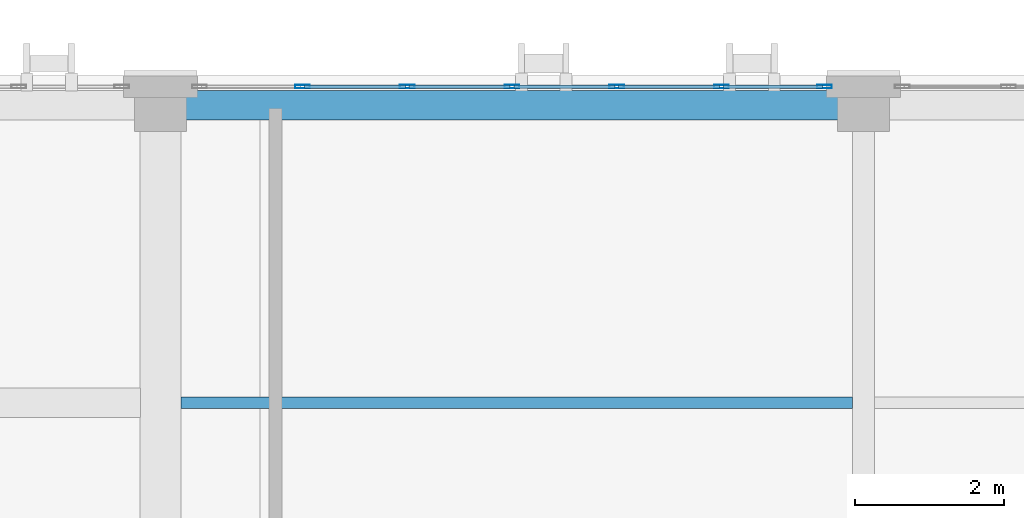
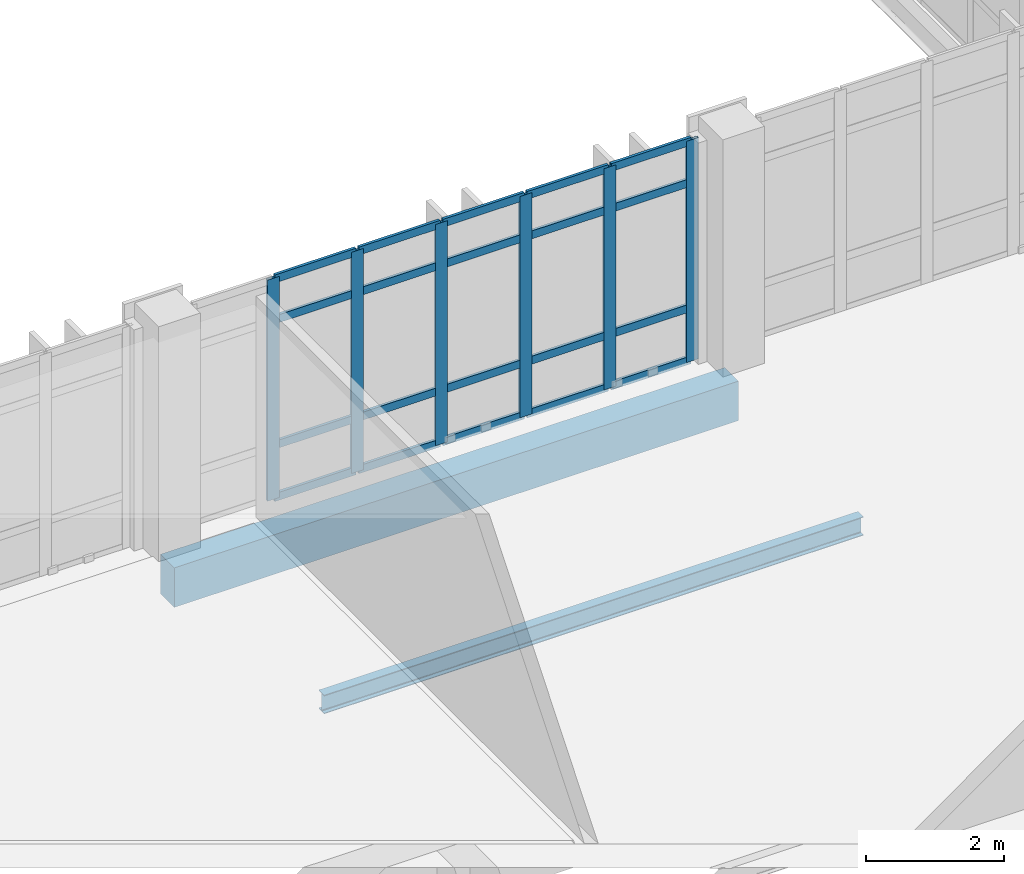
# One storey, part 42 of 165: 26 members, 2 beams, 1 element without a shape of its own.
"""IFC4 building model written with IfcOpenShell, lengths in metres."""

from ifc_helpers import new_model, si_unit, direction, frame, origin, origin_2d, place, context, subcontext, project, spatial, rectangle, hollow_rectangle, i_section, extrude, material, layer, layer_set, material_profile, profile_set, type_object, element, aggregate, save


model = new_model("IFC4")

# Units and contexts
model_context = context("Model", 3, precision=1e-05, world=origin(), true_north=direction((0.0, 1.0)))
body_context = subcontext(model_context, "Body", "Model", "MODEL_VIEW")
ifc_project = project(units=[si_unit("LENGTHUNIT", "METRE"), si_unit("AREAUNIT", "SQUARE_METRE"), si_unit("VOLUMEUNIT", "CUBIC_METRE"), si_unit("PLANEANGLEUNIT", "RADIAN"), si_unit("MASSUNIT", "GRAM", prefix="KILO")], contexts=[model_context])

# Site, building, storey
site_placement = place(None, origin())
site = spatial("IfcSite", under=ifc_project, at=site_placement, CompositionType="ELEMENT")
building_placement = place(site_placement, origin())
building = spatial("IfcBuilding", under=site, at=building_placement, Name="Qalavern Law Courts", CompositionType="ELEMENT")
storey_placement = place(building_placement, frame((0.0, 0.0, 14.39990234375)))
storey = spatial("IfcBuildingStorey", under=building, at=storey_placement, Name="L03", CompositionType="ELEMENT", Elevation=14.39990234375)

# Curtain wall, members
ifc_material_1 = material(Name="Anodised aluminium and insulated glazing", Category="aluminium")
ifc_layer = layer(ifc_material_1, 0.18505859375)
ifc_layer_set = layer_set([ifc_layer], Name="Anodised aluminium and insulated glazing")
curtain_wall_type = type_object("IfcCurtainWallType", Name="ENV-CW-HALL", PredefinedType="USERDEFINED", material=ifc_layer_set)
curtain_wall_placement = place(storey_placement, origin())
curtain_wall = element("IfcCurtainWall", 1, at=curtain_wall_placement, inside=storey, type_object=curtain_wall_type, Name="V2 unitised curtain wall L03 north 2", ObjectType="UNITISED CURTAIN WALL", PredefinedType="USERDEFINED")
ifc_material_2 = material(Name="Anodised aluminium", Category="aluminium")
ifc_material_profile_1 = material_profile(ifc_material_2, hollow_rectangle(XDim=0.048095703125, YDim=0.199951171875, WallThickness=0.00439453125, at=origin_2d()), Name="ALU MULLION 48x200")
ifc_profile_set_1 = profile_set([ifc_material_profile_1], Name="Anodised aluminium")
member_type_1 = type_object("IfcMemberType", Name="ENV-CWM-48x200", PredefinedType="MULLION", material=ifc_profile_set_1)
member_1_placement = place(storey_placement, frame((81.367431640625, 30.25244140625, 0.0), z_axis=(0.0, 0.0, 1.0), x_axis=(0.0, -1.0, 0.0)))
member_1 = element("IfcMember", 2, at=member_1_placement, type_object=member_type_1, Name="CW-02 mullion 1", PredefinedType="MULLION", context=body_context, shape_type="SweptSolid", body=[
    extrude(hollow_rectangle(XDim=0.048095703125, YDim=0.199951171875, WallThickness=0.00439453125, at=origin_2d()), origin(), (0.0, 0.0, 1.0), 3.920166015625),
])
member_2_placement = place(storey_placement, frame((79.982421875, 30.25244140625, 0.0), z_axis=(0.0, 0.0, 1.0), x_axis=(0.0, -1.0, 0.0)))
member_2 = element("IfcMember", 3, at=member_2_placement, type_object=member_type_1, Name="CW-02 mullion 2", PredefinedType="MULLION", context=body_context, shape_type="SweptSolid", body=[
    extrude(hollow_rectangle(XDim=0.048095703125, YDim=0.199951171875, WallThickness=0.00439453125, at=origin_2d()), origin(), (0.0, 0.0, 1.0), 3.920166015625),
])
member_3_placement = place(storey_placement, frame((78.5732421875, 30.25244140625, 0.0), z_axis=(0.0, 0.0, 1.0), x_axis=(0.0, -1.0, 0.0)))
member_3 = element("IfcMember", 4, at=member_3_placement, type_object=member_type_1, Name="CW-02 mullion 3", PredefinedType="MULLION", context=body_context, shape_type="SweptSolid", body=[
    extrude(hollow_rectangle(XDim=0.048095703125, YDim=0.199951171875, WallThickness=0.00439453125, at=origin_2d()), origin(), (0.0, 0.0, 1.0), 3.920166015625),
])
member_4_placement = place(storey_placement, frame((77.164306640625, 30.25244140625, 0.0), z_axis=(0.0, 0.0, 1.0), x_axis=(0.0, -1.0, 0.0)))
member_4 = element("IfcMember", 5, at=member_4_placement, type_object=member_type_1, Name="CW-02 mullion 4", PredefinedType="MULLION", context=body_context, shape_type="SweptSolid", body=[
    extrude(hollow_rectangle(XDim=0.048095703125, YDim=0.199951171875, WallThickness=0.00439453125, at=origin_2d()), origin(), (0.0, 0.0, 1.0), 3.920166015625),
])
member_5_placement = place(storey_placement, frame((75.755126953125, 30.25244140625, 0.0), z_axis=(0.0, 0.0, 1.0), x_axis=(0.0, -1.0, 0.0)))
member_5 = element("IfcMember", 6, at=member_5_placement, type_object=member_type_1, Name="CW-02 mullion 5", PredefinedType="MULLION", context=body_context, shape_type="SweptSolid", body=[
    extrude(hollow_rectangle(XDim=0.048095703125, YDim=0.199951171875, WallThickness=0.00439453125, at=origin_2d()), origin(), (0.0, 0.0, 1.0), 3.920166015625),
])
member_6_placement = place(storey_placement, frame((74.34619140625, 30.25244140625, 0.0), z_axis=(0.0, 0.0, 1.0), x_axis=(0.0, -1.0, 0.0)))
member_6 = element("IfcMember", 7, at=member_6_placement, type_object=member_type_1, Name="CW-02 mullion 6", PredefinedType="MULLION", context=body_context, shape_type="SweptSolid", body=[
    extrude(hollow_rectangle(XDim=0.048095703125, YDim=0.199951171875, WallThickness=0.00439453125, at=origin_2d()), origin(), (0.0, 0.0, 1.0), 3.920166015625),
])
ifc_material_profile_2 = material_profile(ifc_material_2, hollow_rectangle(XDim=0.048095703125, YDim=0.139892578125, WallThickness=0.00390625, at=origin_2d()), Name="ALU TRANSOM 48x140")
ifc_profile_set_2 = profile_set([ifc_material_profile_2], Name="Anodised aluminium")
member_type_2 = type_object("IfcMemberType", Name="ENV-CWT-48x140", PredefinedType="USERDEFINED", material=ifc_profile_set_2)
member_7_placement = place(storey_placement, frame((81.343505859375, 30.25244140625, 0.024169921875), z_axis=(-1.0, 0.0, 0.0), x_axis=(0.0, -1.0, 0.0)))
member_7 = element("IfcMember", 8, at=member_7_placement, type_object=member_type_2, Name="CW-02 transom 1.1", ObjectType="TRANSOM", PredefinedType="USERDEFINED", context=body_context, shape_type="SweptSolid", body=[
    extrude(hollow_rectangle(XDim=0.048095703125, YDim=0.139892578125, WallThickness=0.00390625, at=origin_2d()), origin(), (0.0, 0.0, 1.0), 1.337158203125),
])
member_8_placement = place(storey_placement, frame((81.343505859375, 30.25244140625, 0.9501953125), z_axis=(-1.0, 0.0, 0.0), x_axis=(0.0, -1.0, 0.0)))
member_8 = element("IfcMember", 9, at=member_8_placement, type_object=member_type_2, Name="CW-02 transom 1.2", ObjectType="TRANSOM", PredefinedType="USERDEFINED", context=body_context, shape_type="SweptSolid", body=[
    extrude(hollow_rectangle(XDim=0.048095703125, YDim=0.139892578125, WallThickness=0.00390625, at=origin_2d()), origin(), (0.0, 0.0, 1.0), 1.337158203125),
])
member_9_placement = place(storey_placement, frame((81.343505859375, 30.25244140625, 3.170166015625), z_axis=(-1.0, 0.0, 0.0), x_axis=(0.0, -1.0, 0.0)))
member_9 = element("IfcMember", 10, at=member_9_placement, type_object=member_type_2, Name="CW-02 transom 1.3", ObjectType="TRANSOM", PredefinedType="USERDEFINED", context=body_context, shape_type="SweptSolid", body=[
    extrude(hollow_rectangle(XDim=0.048095703125, YDim=0.139892578125, WallThickness=0.00390625, at=origin_2d()), origin(), (0.0, 0.0, 1.0), 1.337158203125),
])
member_10_placement = place(storey_placement, frame((81.343505859375, 30.25244140625, 3.89599609375), z_axis=(-1.0, 0.0, 0.0), x_axis=(0.0, -1.0, 0.0)))
member_10 = element("IfcMember", 11, at=member_10_placement, type_object=member_type_2, Name="CW-02 transom 1.4", ObjectType="TRANSOM", PredefinedType="USERDEFINED", context=body_context, shape_type="SweptSolid", body=[
    extrude(hollow_rectangle(XDim=0.048095703125, YDim=0.139892578125, WallThickness=0.00390625, at=origin_2d()), origin(), (0.0, 0.0, 1.0), 1.337158203125),
])
member_11_placement = place(storey_placement, frame((79.958251953125, 30.25244140625, 0.024169921875), z_axis=(-1.0, 0.0, 0.0), x_axis=(0.0, -1.0, 0.0)))
member_11 = element("IfcMember", 12, at=member_11_placement, type_object=member_type_2, Name="CW-02 transom 2.1", ObjectType="TRANSOM", PredefinedType="USERDEFINED", context=body_context, shape_type="SweptSolid", body=[
    extrude(hollow_rectangle(XDim=0.048095703125, YDim=0.139892578125, WallThickness=0.00390625, at=origin_2d()), origin(), (0.0, 0.0, 1.0), 1.36083984375),
])
member_12_placement = place(storey_placement, frame((79.958251953125, 30.25244140625, 0.9501953125), z_axis=(-1.0, 0.0, 0.0), x_axis=(0.0, -1.0, 0.0)))
member_12 = element("IfcMember", 13, at=member_12_placement, type_object=member_type_2, Name="CW-02 transom 2.2", ObjectType="TRANSOM", PredefinedType="USERDEFINED", context=body_context, shape_type="SweptSolid", body=[
    extrude(hollow_rectangle(XDim=0.048095703125, YDim=0.139892578125, WallThickness=0.00390625, at=origin_2d()), origin(), (0.0, 0.0, 1.0), 1.36083984375),
])
member_13_placement = place(storey_placement, frame((79.958251953125, 30.25244140625, 3.170166015625), z_axis=(-1.0, 0.0, 0.0), x_axis=(0.0, -1.0, 0.0)))
member_13 = element("IfcMember", 14, at=member_13_placement, type_object=member_type_2, Name="CW-02 transom 2.3", ObjectType="TRANSOM", PredefinedType="USERDEFINED", context=body_context, shape_type="SweptSolid", body=[
    extrude(hollow_rectangle(XDim=0.048095703125, YDim=0.139892578125, WallThickness=0.00390625, at=origin_2d()), origin(), (0.0, 0.0, 1.0), 1.36083984375),
])
member_14_placement = place(storey_placement, frame((79.958251953125, 30.25244140625, 3.89599609375), z_axis=(-1.0, 0.0, 0.0), x_axis=(0.0, -1.0, 0.0)))
member_14 = element("IfcMember", 15, at=member_14_placement, type_object=member_type_2, Name="CW-02 transom 2.4", ObjectType="TRANSOM", PredefinedType="USERDEFINED", context=body_context, shape_type="SweptSolid", body=[
    extrude(hollow_rectangle(XDim=0.048095703125, YDim=0.139892578125, WallThickness=0.00390625, at=origin_2d()), origin(), (0.0, 0.0, 1.0), 1.36083984375),
])
member_15_placement = place(storey_placement, frame((78.54931640625, 30.25244140625, 0.024169921875), z_axis=(-1.0, 0.0, 0.0), x_axis=(0.0, -1.0, 0.0)))
member_15 = element("IfcMember", 16, at=member_15_placement, type_object=member_type_2, Name="CW-02 transom 3.1", ObjectType="TRANSOM", PredefinedType="USERDEFINED", context=body_context, shape_type="SweptSolid", body=[
    extrude(hollow_rectangle(XDim=0.048095703125, YDim=0.139892578125, WallThickness=0.00390625, at=origin_2d()), origin(), (0.0, 0.0, 1.0), 1.361083984375),
])
member_16_placement = place(storey_placement, frame((78.54931640625, 30.25244140625, 0.9501953125), z_axis=(-1.0, 0.0, 0.0), x_axis=(0.0, -1.0, 0.0)))
member_16 = element("IfcMember", 17, at=member_16_placement, type_object=member_type_2, Name="CW-02 transom 3.2", ObjectType="TRANSOM", PredefinedType="USERDEFINED", context=body_context, shape_type="SweptSolid", body=[
    extrude(hollow_rectangle(XDim=0.048095703125, YDim=0.139892578125, WallThickness=0.00390625, at=origin_2d()), origin(), (0.0, 0.0, 1.0), 1.361083984375),
])
member_17_placement = place(storey_placement, frame((78.54931640625, 30.25244140625, 3.170166015625), z_axis=(-1.0, 0.0, 0.0), x_axis=(0.0, -1.0, 0.0)))
member_17 = element("IfcMember", 18, at=member_17_placement, type_object=member_type_2, Name="CW-02 transom 3.3", ObjectType="TRANSOM", PredefinedType="USERDEFINED", context=body_context, shape_type="SweptSolid", body=[
    extrude(hollow_rectangle(XDim=0.048095703125, YDim=0.139892578125, WallThickness=0.00390625, at=origin_2d()), origin(), (0.0, 0.0, 1.0), 1.361083984375),
])
member_18_placement = place(storey_placement, frame((78.54931640625, 30.25244140625, 3.89599609375), z_axis=(-1.0, 0.0, 0.0), x_axis=(0.0, -1.0, 0.0)))
member_18 = element("IfcMember", 19, at=member_18_placement, type_object=member_type_2, Name="CW-02 transom 3.4", ObjectType="TRANSOM", PredefinedType="USERDEFINED", context=body_context, shape_type="SweptSolid", body=[
    extrude(hollow_rectangle(XDim=0.048095703125, YDim=0.139892578125, WallThickness=0.00390625, at=origin_2d()), origin(), (0.0, 0.0, 1.0), 1.361083984375),
])
member_19_placement = place(storey_placement, frame((77.14013671875, 30.25244140625, 0.024169921875), z_axis=(-1.0, 0.0, 0.0), x_axis=(0.0, -1.0, 0.0)))
member_19 = element("IfcMember", 20, at=member_19_placement, type_object=member_type_2, Name="CW-02 transom 4.1", ObjectType="TRANSOM", PredefinedType="USERDEFINED", context=body_context, shape_type="SweptSolid", body=[
    extrude(hollow_rectangle(XDim=0.048095703125, YDim=0.139892578125, WallThickness=0.00390625, at=origin_2d()), origin(), (0.0, 0.0, 1.0), 1.36083984375),
])
member_20_placement = place(storey_placement, frame((77.14013671875, 30.25244140625, 0.9501953125), z_axis=(-1.0, 0.0, 0.0), x_axis=(0.0, -1.0, 0.0)))
member_20 = element("IfcMember", 21, at=member_20_placement, type_object=member_type_2, Name="CW-02 transom 4.2", ObjectType="TRANSOM", PredefinedType="USERDEFINED", context=body_context, shape_type="SweptSolid", body=[
    extrude(hollow_rectangle(XDim=0.048095703125, YDim=0.139892578125, WallThickness=0.00390625, at=origin_2d()), origin(), (0.0, 0.0, 1.0), 1.36083984375),
])
member_21_placement = place(storey_placement, frame((77.14013671875, 30.25244140625, 3.170166015625), z_axis=(-1.0, 0.0, 0.0), x_axis=(0.0, -1.0, 0.0)))
member_21 = element("IfcMember", 22, at=member_21_placement, type_object=member_type_2, Name="CW-02 transom 4.3", ObjectType="TRANSOM", PredefinedType="USERDEFINED", context=body_context, shape_type="SweptSolid", body=[
    extrude(hollow_rectangle(XDim=0.048095703125, YDim=0.139892578125, WallThickness=0.00390625, at=origin_2d()), origin(), (0.0, 0.0, 1.0), 1.36083984375),
])
member_22_placement = place(storey_placement, frame((77.14013671875, 30.25244140625, 3.89599609375), z_axis=(-1.0, 0.0, 0.0), x_axis=(0.0, -1.0, 0.0)))
member_22 = element("IfcMember", 23, at=member_22_placement, type_object=member_type_2, Name="CW-02 transom 4.4", ObjectType="TRANSOM", PredefinedType="USERDEFINED", context=body_context, shape_type="SweptSolid", body=[
    extrude(hollow_rectangle(XDim=0.048095703125, YDim=0.139892578125, WallThickness=0.00390625, at=origin_2d()), origin(), (0.0, 0.0, 1.0), 1.36083984375),
])
member_23_placement = place(storey_placement, frame((75.731201171875, 30.25244140625, 0.024169921875), z_axis=(-1.0, 0.0, 0.0), x_axis=(0.0, -1.0, 0.0)))
member_23 = element("IfcMember", 24, at=member_23_placement, type_object=member_type_2, Name="CW-02 transom 5.1", ObjectType="TRANSOM", PredefinedType="USERDEFINED", context=body_context, shape_type="SweptSolid", body=[
    extrude(hollow_rectangle(XDim=0.048095703125, YDim=0.139892578125, WallThickness=0.00390625, at=origin_2d()), origin(), (0.0, 0.0, 1.0), 1.361083984375),
])
member_24_placement = place(storey_placement, frame((75.731201171875, 30.25244140625, 0.9501953125), z_axis=(-1.0, 0.0, 0.0), x_axis=(0.0, -1.0, 0.0)))
member_24 = element("IfcMember", 25, at=member_24_placement, type_object=member_type_2, Name="CW-02 transom 5.2", ObjectType="TRANSOM", PredefinedType="USERDEFINED", context=body_context, shape_type="SweptSolid", body=[
    extrude(hollow_rectangle(XDim=0.048095703125, YDim=0.139892578125, WallThickness=0.00390625, at=origin_2d()), origin(), (0.0, 0.0, 1.0), 1.361083984375),
])
member_25_placement = place(storey_placement, frame((75.731201171875, 30.25244140625, 3.170166015625), z_axis=(-1.0, 0.0, 0.0), x_axis=(0.0, -1.0, 0.0)))
member_25 = element("IfcMember", 26, at=member_25_placement, type_object=member_type_2, Name="CW-02 transom 5.3", ObjectType="TRANSOM", PredefinedType="USERDEFINED", context=body_context, shape_type="SweptSolid", body=[
    extrude(hollow_rectangle(XDim=0.048095703125, YDim=0.139892578125, WallThickness=0.00390625, at=origin_2d()), origin(), (0.0, 0.0, 1.0), 1.361083984375),
])
member_26_placement = place(storey_placement, frame((75.731201171875, 30.25244140625, 3.89599609375), z_axis=(-1.0, 0.0, 0.0), x_axis=(0.0, -1.0, 0.0)))
member_26 = element("IfcMember", 27, at=member_26_placement, type_object=member_type_2, Name="CW-02 transom 5.4", ObjectType="TRANSOM", PredefinedType="USERDEFINED", context=body_context, shape_type="SweptSolid", body=[
    extrude(hollow_rectangle(XDim=0.048095703125, YDim=0.139892578125, WallThickness=0.00390625, at=origin_2d()), origin(), (0.0, 0.0, 1.0), 1.361083984375),
])
aggregate(curtain_wall, [member_1, member_2, member_3, member_4, member_5, member_6, member_7, member_8, member_9, member_10, member_11, member_12, member_13, member_14, member_15, member_16, member_17, member_18, member_19, member_20, member_21, member_22, member_23, member_24, member_25, member_26])

# Beams
ifc_material_3 = material(Name="Steel S355", Category="steel")
ifc_material_profile_3 = material_profile(ifc_material_3, i_section(OverallWidth=0.159912109375, OverallDepth=0.330078125, WebThickness=0.007568359375, FlangeThickness=0.011474609375, FilletRadius=0.01806640625, at=origin_2d()), Name="IPE 330")
ifc_profile_set_3 = profile_set([ifc_material_profile_3], Name="Steel S355")
beam_type_1 = type_object("IfcBeamType", Name="STR-JST-IPE330", PredefinedType="JOIST", material=ifc_profile_set_3)
beam_1_placement = place(storey_placement, frame((72.710205078125, 26.0, -0.449951171875), z_axis=(1.0, 0.0, 0.0), x_axis=(0.0, 1.0, 0.0)))
element("IfcBeam", 28, at=beam_1_placement, inside=storey, type_object=beam_type_1, Name="V2 secondary joist 5.3.1 L03", PredefinedType="JOIST", context=body_context, shape_type="SweptSolid", body=[
    extrude(i_section(OverallWidth=0.159912109375, OverallDepth=0.330078125, WebThickness=0.007568359375, FlangeThickness=0.011474609375, FilletRadius=0.01806640625, at=origin_2d()), origin(), (0.0, 0.0, 1.0), 9.033203125),
])
ifc_material_4 = material(Name="Concrete C40/50", Category="concrete")
ifc_material_profile_4 = material_profile(ifc_material_4, rectangle(XDim=0.39990234375, YDim=0.699951171875, at=origin_2d()), Name="RC 400x700")
ifc_profile_set_4 = profile_set([ifc_material_profile_4], Name="Concrete C40/50")
beam_type_2 = type_object("IfcBeamType", Name="STR-SP-RC400x700", PredefinedType="SPANDREL", material=ifc_profile_set_4)
beam_2_placement = place(storey_placement, frame((72.43701171875, 30.0, -0.635009765625), z_axis=(1.0, 0.0, 0.0), x_axis=(0.0, 1.0, 0.0)))
element("IfcBeam", 29, at=beam_2_placement, inside=storey, type_object=beam_type_2, Name="V2 X-beam 4-5 L03", PredefinedType="SPANDREL", context=body_context, shape_type="SweptSolid", body=[
    extrude(rectangle(XDim=0.39990234375, YDim=0.699951171875, at=origin_2d()), origin(), (0.0, 0.0, 1.0), 9.454345703125),
])

save(model, "model.ifc")
